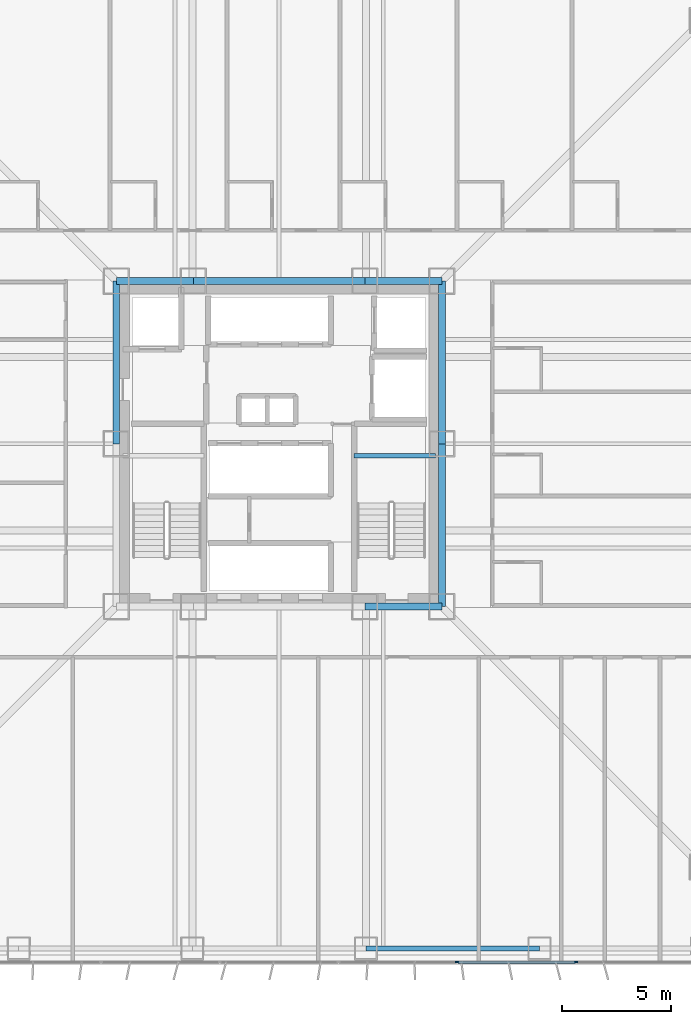
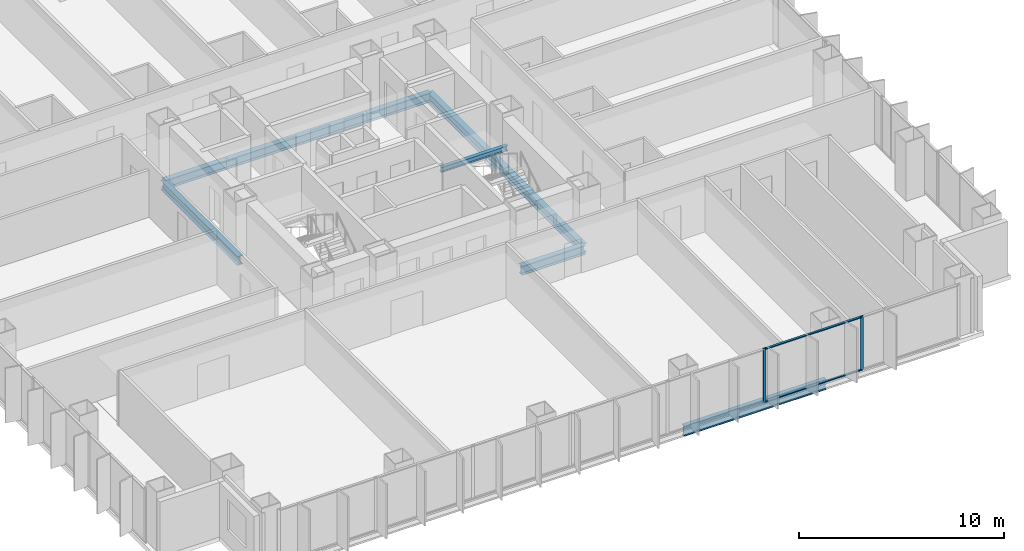
# One storey, part 5 of 17: 9 beams, 4 members, 1 element without a shape of its own.
"""IFC4 building model written with IfcOpenShell, lengths in metres."""

from ifc_helpers import new_model, si_unit, direction, frame, origin, origin_2d, place, context, subcontext, project, spatial, rectangle, i_section, extrude, material, layer, layer_set, material_profile, profile_set, type_object, element, aggregate, save


model = new_model("IFC4")

# Units and contexts
model_context = context("Model", 3, precision=1e-05, world=origin(), true_north=direction((0.0, 1.0)))
body_context = subcontext(model_context, "Body", "Model", "MODEL_VIEW")
ifc_project = project(units=[si_unit("LENGTHUNIT", "METRE"), si_unit("AREAUNIT", "SQUARE_METRE"), si_unit("VOLUMEUNIT", "CUBIC_METRE"), si_unit("PLANEANGLEUNIT", "RADIAN"), si_unit("MASSUNIT", "GRAM", prefix="KILO")], contexts=[model_context])

# Site, building, storey
site_placement = place(None, origin())
site = spatial("IfcSite", under=ifc_project, at=site_placement, CompositionType="ELEMENT")
building_placement = place(site_placement, origin())
building = spatial("IfcBuilding", under=site, at=building_placement, Name="Trevonay Congress Spire", CompositionType="ELEMENT")
storey_placement = place(building_placement, frame((0.0, 0.0, 69.0)))
storey = spatial("IfcBuildingStorey", under=building, at=storey_placement, Name="L17", CompositionType="ELEMENT", Elevation=69.0)

# Beams
ifc_material_1 = material(Name="Steel ASTM A572 Grade 50", Category="steel")
ifc_material_profile_1 = material_profile(ifc_material_1, i_section(OverallWidth=0.31201171875, OverallDepth=0.54296875, WebThickness=0.0126953125, FlangeThickness=0.020263671875, FilletRadius=0.014892578125, at=origin_2d()), Name="W530x150")
ifc_profile_set_1 = profile_set([ifc_material_profile_1], Name="Steel ASTM A572 Grade 50")
beam_type_1 = type_object("IfcBeamType", Name="BM-GIRD-W530X150", PredefinedType="BEAM", material=ifc_profile_set_1)
for number, where, z_axis, x_axis, name in (
    (1, (3.949951171875, -7.5, -0.521484375), (1.0, 0.0, 0.0), (0.0, 1.0, 0.0), "L17 structural beam BM-L17-CR-S3"),
    (2, (-7.5, 7.5, -0.521484375), (1.0, 0.0, 0.0), (0.0, 1.0, 0.0), "L17 structural beam BM-L17-CR-N1"),
):
    element("IfcBeam", number, at=place(storey_placement, frame(where, z_axis=z_axis, x_axis=x_axis)), inside=storey, type_object=beam_type_1, Name=name, PredefinedType="BEAM", context=body_context, shape_type="SweptSolid", body=[
        extrude(i_section(OverallWidth=0.31201171875, OverallDepth=0.54296875, WebThickness=0.0126953125, FlangeThickness=0.020263671875, FilletRadius=0.014892578125, at=origin_2d()), origin(), (0.0, 0.0, 1.0), 3.550048828125),
    ])
beam_1_placement = place(storey_placement, frame((-3.949951171875, 7.5, -0.521484375), z_axis=(1.0, 0.0, 0.0), x_axis=(0.0, 1.0, 0.0)))
element("IfcBeam", 3, at=beam_1_placement, inside=storey, type_object=beam_type_1, Name="L17 structural beam BM-L17-CR-N2", PredefinedType="BEAM", context=body_context, shape_type="SweptSolid", body=[
    extrude(i_section(OverallWidth=0.31201171875, OverallDepth=0.54296875, WebThickness=0.0126953125, FlangeThickness=0.020263671875, FilletRadius=0.014892578125, at=origin_2d()), origin(), (0.0, 0.0, 1.0), 7.89990234375),
])
beam_2_placement = place(storey_placement, frame((3.949951171875, 7.5, -0.521484375), z_axis=(1.0, 0.0, 0.0), x_axis=(0.0, 1.0, 0.0)))
element("IfcBeam", 4, at=beam_2_placement, inside=storey, type_object=beam_type_1, Name="L17 structural beam BM-L17-CR-N3", PredefinedType="BEAM", context=body_context, shape_type="SweptSolid", body=[
    extrude(i_section(OverallWidth=0.31201171875, OverallDepth=0.54296875, WebThickness=0.0126953125, FlangeThickness=0.020263671875, FilletRadius=0.014892578125, at=origin_2d()), origin(), (0.0, 0.0, 1.0), 3.550048828125),
])
for number, where, z_axis, x_axis, name in (
    (5, (-7.5, 0.0, -0.521484375), (0.0, 1.0, 0.0), (-1.0, 0.0, 0.0), "L17 structural beam BM-L17-CR-W2"),
    (6, (7.5, -7.5, -0.521484375), (0.0, 1.0, 0.0), (-1.0, 0.0, 0.0), "L17 structural beam BM-L17-CR-E1"),
    (7, (7.5, 0.0, -0.521484375), (0.0, 1.0, 0.0), (-1.0, 0.0, 0.0), "L17 structural beam BM-L17-CR-E2"),
):
    element("IfcBeam", number, at=place(storey_placement, frame(where, z_axis=z_axis, x_axis=x_axis)), inside=storey, type_object=beam_type_1, Name=name, PredefinedType="BEAM", context=body_context, shape_type="SweptSolid", body=[
        extrude(i_section(OverallWidth=0.31201171875, OverallDepth=0.54296875, WebThickness=0.0126953125, FlangeThickness=0.020263671875, FilletRadius=0.014892578125, at=origin_2d()), origin(), (0.0, 0.0, 1.0), 7.5),
    ])
ifc_material_profile_2 = material_profile(ifc_material_1, i_section(OverallWidth=0.22998046875, OverallDepth=0.616943359375, WebThickness=0.01318359375, FlangeThickness=0.022216796875, FilletRadius=0.01611328125, at=origin_2d()), Name="W610x140")
ifc_profile_set_2 = profile_set([ifc_material_profile_2], Name="Steel ASTM A572 Grade 50")
beam_type_2 = type_object("IfcBeamType", Name="BM-RING-W610X140", PredefinedType="BEAM", material=ifc_profile_set_2)
beam_3_placement = place(storey_placement, frame((4.0, -23.25, -0.55859375), z_axis=(1.0, 0.0, 0.0), x_axis=(0.0, 1.0, 0.0)))
element("IfcBeam", 8, at=beam_3_placement, inside=storey, type_object=beam_type_2, Name="L17 structural beam BM-L17-PS4", PredefinedType="BEAM", context=body_context, shape_type="SweptSolid", body=[
    extrude(i_section(OverallWidth=0.22998046875, OverallDepth=0.616943359375, WebThickness=0.01318359375, FlangeThickness=0.022216796875, FilletRadius=0.01611328125, at=origin_2d()), origin(), (0.0, 0.0, 1.0), 8.0),
])

# Curtain wall, members
ifc_material_2 = material(Name="Pale Anodised Aluminium EN AW-6063-T6", Category="aluminium")
ifc_layer = layer(ifc_material_2, 0.179931640625, Name="Pale Anodised Aluminium EN AW-6063-T6")
ifc_layer_set = layer_set([ifc_layer], Name="Pale Anodised Aluminium EN AW-6063-T6")
curtain_wall_type = type_object("IfcCurtainWallType", Name="CW-SYS02-HOTEL-PALE-METAL", PredefinedType="NOTDEFINED", material=ifc_layer_set)
curtain_wall_placement = place(storey_placement, origin())
curtain_wall = element("IfcCurtainWall", 9, at=curtain_wall_placement, inside=storey, type_object=curtain_wall_type, Name="L17 S unitised curtain wall", PredefinedType="NOTDEFINED")
ifc_material_profile_3 = material_profile(ifc_material_2, rectangle(XDim=0.06005859375, YDim=0.159912109375, at=origin_2d()), Name="CW-MULLION-160-ALUMINIUM")
ifc_profile_set_3 = profile_set([ifc_material_profile_3], Name="Pale Anodised Aluminium EN AW-6063-T6")
member_type_1 = type_object("IfcMemberType", Name="CW-MULLION-160-ALUMINIUM", PredefinedType="MULLION", material=ifc_profile_set_3)
member_1_placement = place(storey_placement, frame((8.20703125, -23.8798828125, 0.0), z_axis=(0.0, 0.0, 1.0), x_axis=(0.0, 1.0, 0.0)))
member_1 = element("IfcMember", 10, at=member_1_placement, type_object=member_type_1, Name="CW02 mullion 6", PredefinedType="MULLION", context=body_context, shape_type="SweptSolid", body=[
    extrude(rectangle(XDim=0.06005859375, YDim=0.159912109375, at=origin_2d()), origin(), (0.0, 0.0, 1.0), 3.25),
])
member_2_placement = place(storey_placement, frame((13.678466796875, -23.8798828125, 0.0), z_axis=(0.0, 0.0, 1.0), x_axis=(0.0, 1.0, 0.0)))
member_2 = element("IfcMember", 11, at=member_2_placement, type_object=member_type_1, Name="CW02 mullion 7", PredefinedType="MULLION", context=body_context, shape_type="SweptSolid", body=[
    extrude(rectangle(XDim=0.06005859375, YDim=0.159912109375, at=origin_2d()), origin(), (0.0, 0.0, 1.0), 3.25),
])
ifc_material_profile_4 = material_profile(ifc_material_2, rectangle(XDim=0.1201171875, YDim=0.06005859375, at=origin_2d()), Name="CW-TRANSOM-120-ALUMINIUM")
ifc_profile_set_4 = profile_set([ifc_material_profile_4], Name="Pale Anodised Aluminium EN AW-6063-T6")
member_type_2 = type_object("IfcMemberType", Name="CW-TRANSOM-120-ALUMINIUM", PredefinedType="USERDEFINED", material=ifc_profile_set_4)
member_3_placement = place(storey_placement, frame((8.237060546875, -23.8798828125, 0.06005859375), z_axis=(1.0, 0.0, 0.0), x_axis=(0.0, 1.0, 0.0)))
member_3 = element("IfcMember", 12, at=member_3_placement, type_object=member_type_2, Name="CW02 transom 6.1", ObjectType="TRANSOM", PredefinedType="USERDEFINED", context=body_context, shape_type="SweptSolid", body=[
    extrude(rectangle(XDim=0.1201171875, YDim=0.06005859375, at=origin_2d()), origin(), (0.0, 0.0, 1.0), 5.41162109375),
])
member_4_placement = place(storey_placement, frame((8.237060546875, -23.8798828125, 3.18994140625), z_axis=(1.0, 0.0, 0.0), x_axis=(0.0, 1.0, 0.0)))
member_4 = element("IfcMember", 13, at=member_4_placement, type_object=member_type_2, Name="CW02 transom 6.2", ObjectType="TRANSOM", PredefinedType="USERDEFINED", context=body_context, shape_type="SweptSolid", body=[
    extrude(rectangle(XDim=0.1201171875, YDim=0.06005859375, at=origin_2d()), origin(), (0.0, 0.0, 1.0), 5.41162109375),
])
aggregate(curtain_wall, [member_1, member_2, member_3, member_4])

# Beam
ifc_material_profile_5 = material_profile(ifc_material_1, i_section(OverallWidth=0.2041015625, OverallDepth=0.305908203125, WebThickness=0.008544921875, FlangeThickness=0.0146484375, FilletRadius=0.010986328125, at=origin_2d()), Name="W310x67")
ifc_profile_set_5 = profile_set([ifc_material_profile_5], Name="Steel ASTM A572 Grade 50")
beam_type_3 = type_object("IfcBeamType", Name="LN-CORE-W310X67", PredefinedType="LINTEL", material=ifc_profile_set_5)
beam_4_placement = place(storey_placement, frame((3.449951171875, -0.550048828125, 1.39697265625), z_axis=(1.0, 0.0, 0.0), x_axis=(0.0, 1.0, 0.0)))
element("IfcBeam", 14, at=beam_4_placement, inside=storey, type_object=beam_type_3, Name="L17 structural beam BM-L17-HL-ST2", PredefinedType="LINTEL", context=body_context, shape_type="SweptSolid", body=[
    extrude(i_section(OverallWidth=0.2041015625, OverallDepth=0.305908203125, WebThickness=0.008544921875, FlangeThickness=0.0146484375, FilletRadius=0.010986328125, at=origin_2d()), origin(), (0.0, 0.0, 1.0), 3.75),
])

save(model, "model.ifc")
